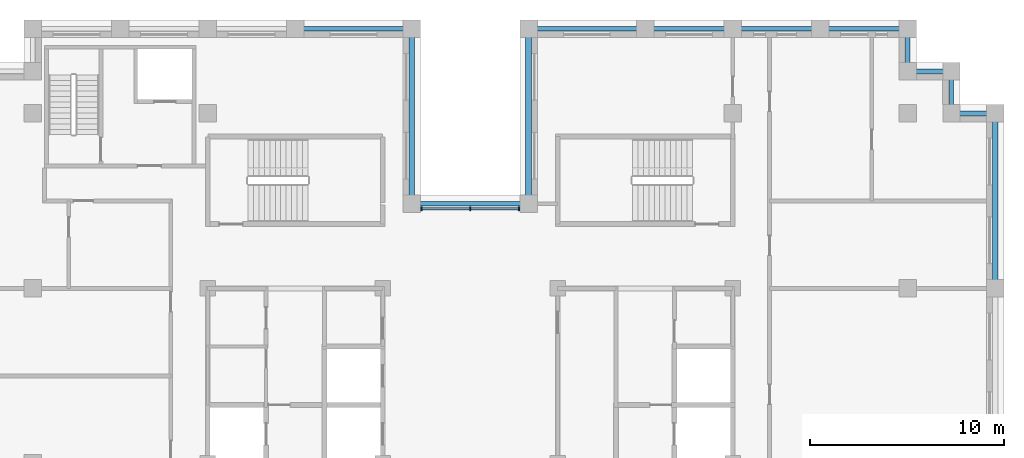
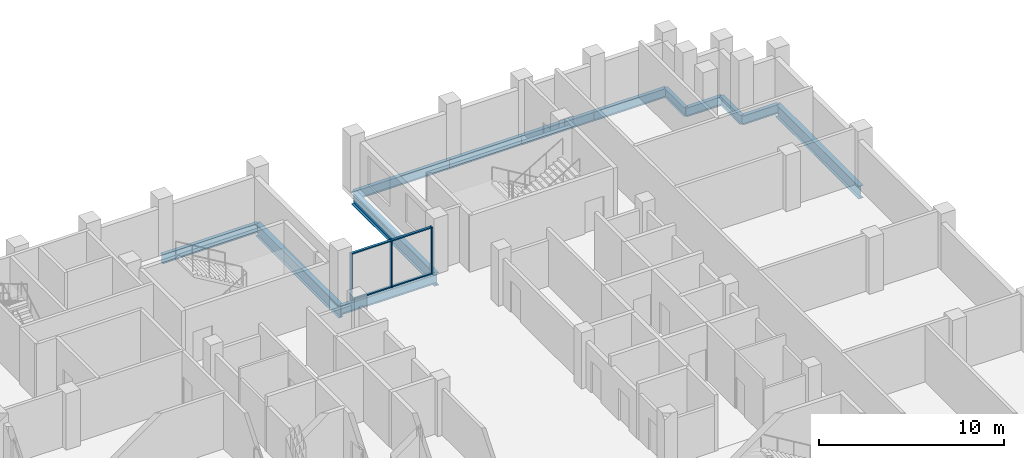
# One storey, part 4 of 13: 13 beams, 7 members, 1 element without a shape of its own.
"""IFC4 building model written with IfcOpenShell, lengths in metres."""

from ifc_helpers import new_model, si_unit, direction, frame, origin, origin_2d, place, context, subcontext, project, spatial, rectangle, i_section, extrude, material, layer, layer_set, material_profile, profile_set, type_object, element, aggregate, save


model = new_model("IFC4")

# Units and contexts
model_context = context("Model", 3, precision=1e-05, world=origin(), true_north=direction((0.0, 1.0)))
body_context = subcontext(model_context, "Body", "Model", "MODEL_VIEW")
ifc_project = project(units=[si_unit("LENGTHUNIT", "METRE"), si_unit("AREAUNIT", "SQUARE_METRE"), si_unit("VOLUMEUNIT", "CUBIC_METRE"), si_unit("PLANEANGLEUNIT", "RADIAN"), si_unit("MASSUNIT", "GRAM", prefix="KILO")], contexts=[model_context])

# Site, building, storey
site_placement = place(None, origin())
site = spatial("IfcSite", under=ifc_project, at=site_placement, CompositionType="ELEMENT")
building_placement = place(site_placement, origin())
building = spatial("IfcBuilding", under=site, at=building_placement, Name="Corbelhall Arena Tower", CompositionType="ELEMENT")
storey_placement = place(building_placement, frame((0.0, 0.0, 282.0)))
storey = spatial("IfcBuildingStorey", under=building, at=storey_placement, Name="L61", CompositionType="ELEMENT", Elevation=282.0)

# Curtain wall, members
ifc_material_1 = material(Name="Aluminium black anodised", Category="aluminium")
ifc_layer = layer(ifc_material_1, 0.199951171875)
ifc_layer_set = layer_set([ifc_layer], Name="EV-CW1 Slot back wall")
curtain_wall_type = type_object("IfcCurtainWallType", Name="EV-CW1 Slot back wall", PredefinedType="NOTDEFINED", material=ifc_layer_set)
curtain_wall_placement = place(storey_placement, origin())
curtain_wall = element("IfcCurtainWall", 1, at=curtain_wall_placement, inside=storey, type_object=curtain_wall_type, Name="Curtain wall CW1", PredefinedType="NOTDEFINED")
ifc_material_profile_1 = material_profile(ifc_material_1, rectangle(XDim=0.199951171875, YDim=0.074951171875, at=origin_2d()))
ifc_profile_set_1 = profile_set([ifc_material_profile_1], Name="Aluminium black anodised")
member_type_1 = type_object("IfcMemberType", Name="EV-CW1-MULLION", PredefinedType="MULLION", material=ifc_profile_set_1)
member_1_placement = place(storey_placement, frame((2.512451171875, 13.10009765625, 0.0), z_axis=(0.0, 0.0, 1.0), x_axis=(0.0, -1.0, 0.0)))
member_1 = element("IfcMember", 2, at=member_1_placement, type_object=member_type_1, Name="CW1 mullion 1", PredefinedType="MULLION", context=body_context, shape_type="SweptSolid", body=[
    extrude(rectangle(XDim=0.199951171875, YDim=0.074951171875, at=origin_2d()), origin(), (0.0, 0.0, 1.0), 3.1201171875),
])
member_2_placement = place(storey_placement, frame((0.0, 13.10009765625, 0.0), z_axis=(0.0, 0.0, 1.0), x_axis=(0.0, -1.0, 0.0)))
member_2 = element("IfcMember", 3, at=member_2_placement, type_object=member_type_1, Name="CW1 mullion 2", PredefinedType="MULLION", context=body_context, shape_type="SweptSolid", body=[
    extrude(rectangle(XDim=0.199951171875, YDim=0.074951171875, at=origin_2d()), origin(), (0.0, 0.0, 1.0), 3.1201171875),
])
member_3_placement = place(storey_placement, frame((-2.512451171875, 13.10009765625, 0.0), z_axis=(0.0, 0.0, 1.0), x_axis=(0.0, -1.0, 0.0)))
member_3 = element("IfcMember", 4, at=member_3_placement, type_object=member_type_1, Name="CW1 mullion 3", PredefinedType="MULLION", context=body_context, shape_type="SweptSolid", body=[
    extrude(rectangle(XDim=0.199951171875, YDim=0.074951171875, at=origin_2d()), origin(), (0.0, 0.0, 1.0), 3.1201171875),
])
ifc_material_profile_2 = material_profile(ifc_material_1, rectangle(XDim=0.14990234375, YDim=0.074951171875, at=origin_2d()))
ifc_profile_set_2 = profile_set([ifc_material_profile_2], Name="Aluminium black anodised")
member_type_2 = type_object("IfcMemberType", Name="EV-CW1-TRANSOM", PredefinedType="USERDEFINED", material=ifc_profile_set_2)
member_4_placement = place(storey_placement, frame((2.47509765625, 13.10009765625, 0.03759765625), z_axis=(-1.0, 0.0, 0.0), x_axis=(0.0, -1.0, 0.0)))
member_4 = element("IfcMember", 5, at=member_4_placement, type_object=member_type_2, Name="CW1 transom 1.1", ObjectType="transom", PredefinedType="USERDEFINED", context=body_context, shape_type="SweptSolid", body=[
    extrude(rectangle(XDim=0.14990234375, YDim=0.074951171875, at=origin_2d()), origin(), (0.0, 0.0, 1.0), 2.4375),
])
member_5_placement = place(storey_placement, frame((2.47509765625, 13.10009765625, 3.08251953125), z_axis=(-1.0, 0.0, 0.0), x_axis=(0.0, -1.0, 0.0)))
member_5 = element("IfcMember", 6, at=member_5_placement, type_object=member_type_2, Name="CW1 transom 1.2", ObjectType="transom", PredefinedType="USERDEFINED", context=body_context, shape_type="SweptSolid", body=[
    extrude(rectangle(XDim=0.14990234375, YDim=0.074951171875, at=origin_2d()), origin(), (0.0, 0.0, 1.0), 2.4375),
])
member_6_placement = place(storey_placement, frame((-0.03759765625, 13.10009765625, 0.03759765625), z_axis=(-1.0, 0.0, 0.0), x_axis=(0.0, -1.0, 0.0)))
member_6 = element("IfcMember", 7, at=member_6_placement, type_object=member_type_2, Name="CW1 transom 2.1", ObjectType="transom", PredefinedType="USERDEFINED", context=body_context, shape_type="SweptSolid", body=[
    extrude(rectangle(XDim=0.14990234375, YDim=0.074951171875, at=origin_2d()), origin(), (0.0, 0.0, 1.0), 2.4375),
])
member_7_placement = place(storey_placement, frame((-0.03759765625, 13.10009765625, 3.08251953125), z_axis=(-1.0, 0.0, 0.0), x_axis=(0.0, -1.0, 0.0)))
member_7 = element("IfcMember", 8, at=member_7_placement, type_object=member_type_2, Name="CW1 transom 2.2", ObjectType="transom", PredefinedType="USERDEFINED", context=body_context, shape_type="SweptSolid", body=[
    extrude(rectangle(XDim=0.14990234375, YDim=0.074951171875, at=origin_2d()), origin(), (0.0, 0.0, 1.0), 2.4375),
])
aggregate(curtain_wall, [member_1, member_2, member_3, member_4, member_5, member_6, member_7])

# Beams
ifc_material_2 = material(Name="Steel ASTM A992 Gr50", Category="steel")
ifc_material_profile_3 = material_profile(ifc_material_2, i_section(OverallWidth=0.227783203125, OverallDepth=0.60205078125, WebThickness=0.010498046875, FlangeThickness=0.014892578125, at=origin_2d()))
ifc_profile_set_3 = profile_set([ifc_material_profile_3], Name="Steel ASTM A992 Gr50")
beam_type_1 = type_object("IfcBeamType", Name="ST-SPANDREL-W24x68", PredefinedType="SPANDREL", material=ifc_profile_set_3)
beam_1_placement = place(storey_placement, frame((3.0, 22.35009765625, -0.5810546875), z_axis=(1.0, 0.0, 0.0), x_axis=(0.0, 1.0, 0.0)))
element("IfcBeam", 9, at=beam_1_placement, inside=storey, type_object=beam_type_1, Name="Beam SP 6", PredefinedType="SPANDREL", context=body_context, shape_type="SweptSolid", body=[
    extrude(i_section(OverallWidth=0.227783203125, OverallDepth=0.60205078125, WebThickness=0.010498046875, FlangeThickness=0.014892578125, at=origin_2d()), origin(), (0.0, 0.0, 1.0), 6.0),
])
for number, where, z_axis, x_axis, name in (
    (10, (9.0, 22.35009765625, -0.5810546875), (1.0, 0.0, 0.0), (0.0, 1.0, 0.0), "Beam SP 7"),
    (11, (13.5, 22.35009765625, -0.5810546875), (1.0, 0.0, 0.0), (0.0, 1.0, 0.0), "Beam SP 8"),
    (12, (18.0, 22.35009765625, -0.5810546875), (1.0, 0.0, 0.0), (0.0, 1.0, 0.0), "Beam SP 9"),
):
    element("IfcBeam", number, at=place(storey_placement, frame(where, z_axis=z_axis, x_axis=x_axis)), inside=storey, type_object=beam_type_1, Name=name, PredefinedType="SPANDREL", context=body_context, shape_type="SweptSolid", body=[
        extrude(i_section(OverallWidth=0.227783203125, OverallDepth=0.60205078125, WebThickness=0.010498046875, FlangeThickness=0.014892578125, at=origin_2d()), origin(), (0.0, 0.0, 1.0), 4.5),
    ])
beam_2_placement = place(storey_placement, frame((22.5, 22.35009765625, -0.5810546875), z_axis=(0.0, -1.0, 0.0), x_axis=(1.0, 0.0, 0.0)))
element("IfcBeam", 13, at=beam_2_placement, inside=storey, type_object=beam_type_1, Name="Beam SP 10", PredefinedType="SPANDREL", context=body_context, shape_type="SweptSolid", body=[
    extrude(i_section(OverallWidth=0.227783203125, OverallDepth=0.60205078125, WebThickness=0.010498046875, FlangeThickness=0.014892578125, at=origin_2d()), origin(), (0.0, 0.0, 1.0), 2.175048828125),
])
for number, where, z_axis, x_axis, name in (
    (14, (-9.0, 22.35009765625, -0.5810546875), (1.0, 0.0, 0.0), (0.0, 1.0, 0.0), "Beam SP 12"),
    (15, (-3.0, 13.35009765625, -0.5810546875), (1.0, 0.0, 0.0), (0.0, 1.0, 0.0), "Beam SP 32"),
):
    element("IfcBeam", number, at=place(storey_placement, frame(where, z_axis=z_axis, x_axis=x_axis)), inside=storey, type_object=beam_type_1, Name=name, PredefinedType="SPANDREL", context=body_context, shape_type="SweptSolid", body=[
        extrude(i_section(OverallWidth=0.227783203125, OverallDepth=0.60205078125, WebThickness=0.010498046875, FlangeThickness=0.014892578125, at=origin_2d()), origin(), (0.0, 0.0, 1.0), 6.0),
    ])
beam_3_placement = place(storey_placement, frame((22.5, 20.175048828125, -0.5810546875), z_axis=(1.0, 0.0, 0.0), x_axis=(0.0, 1.0, 0.0)))
element("IfcBeam", 16, at=beam_3_placement, inside=storey, type_object=beam_type_1, Name="Beam SP 35", PredefinedType="SPANDREL", context=body_context, shape_type="SweptSolid", body=[
    extrude(i_section(OverallWidth=0.227783203125, OverallDepth=0.60205078125, WebThickness=0.010498046875, FlangeThickness=0.014892578125, at=origin_2d()), origin(), (0.0, 0.0, 1.0), 2.25),
])
beam_4_placement = place(storey_placement, frame((24.75, 20.175048828125, -0.5810546875), z_axis=(0.0, -1.0, 0.0), x_axis=(1.0, 0.0, 0.0)))
element("IfcBeam", 17, at=beam_4_placement, inside=storey, type_object=beam_type_1, Name="Beam SP 36", PredefinedType="SPANDREL", context=body_context, shape_type="SweptSolid", body=[
    extrude(i_section(OverallWidth=0.227783203125, OverallDepth=0.60205078125, WebThickness=0.010498046875, FlangeThickness=0.014892578125, at=origin_2d()), origin(), (0.0, 0.0, 1.0), 2.175048828125),
])
beam_5_placement = place(storey_placement, frame((24.75, 18.0, -0.5810546875), z_axis=(1.0, 0.0, 0.0), x_axis=(0.0, 1.0, 0.0)))
element("IfcBeam", 18, at=beam_5_placement, inside=storey, type_object=beam_type_1, Name="Beam SP 37", PredefinedType="SPANDREL", context=body_context, shape_type="SweptSolid", body=[
    extrude(i_section(OverallWidth=0.227783203125, OverallDepth=0.60205078125, WebThickness=0.010498046875, FlangeThickness=0.014892578125, at=origin_2d()), origin(), (0.0, 0.0, 1.0), 2.25),
])
ifc_material_profile_4 = material_profile(ifc_material_2, i_section(OverallWidth=0.2919921875, OverallDepth=0.845703125, WebThickness=0.015380859375, FlangeThickness=0.0244140625, at=origin_2d()))
ifc_profile_set_4 = profile_set([ifc_material_profile_4], Name="Steel ASTM A992 Gr50")
beam_type_2 = type_object("IfcBeamType", Name="ST-SPANDREL-W33x141", PredefinedType="SPANDREL", material=ifc_profile_set_4)
for number, where, z_axis, x_axis, name in (
    (19, (27.0, 18.0, -0.702880859375), (0.0, -1.0, 0.0), (1.0, 0.0, 0.0), "Beam SP 3"),
    (20, (-3.0, 22.35009765625, -0.702880859375), (0.0, -1.0, 0.0), (1.0, 0.0, 0.0), "Beam SP 11"),
    (21, (3.0, 13.35009765625, -0.702880859375), (0.0, 1.0, 0.0), (-1.0, 0.0, 0.0), "Beam SP 31"),
):
    element("IfcBeam", number, at=place(storey_placement, frame(where, z_axis=z_axis, x_axis=x_axis)), inside=storey, type_object=beam_type_2, Name=name, PredefinedType="SPANDREL", context=body_context, shape_type="SweptSolid", body=[
        extrude(i_section(OverallWidth=0.2919921875, OverallDepth=0.845703125, WebThickness=0.015380859375, FlangeThickness=0.0244140625, at=origin_2d()), origin(), (0.0, 0.0, 1.0), 9.0),
    ])

save(model, "model.ifc")
